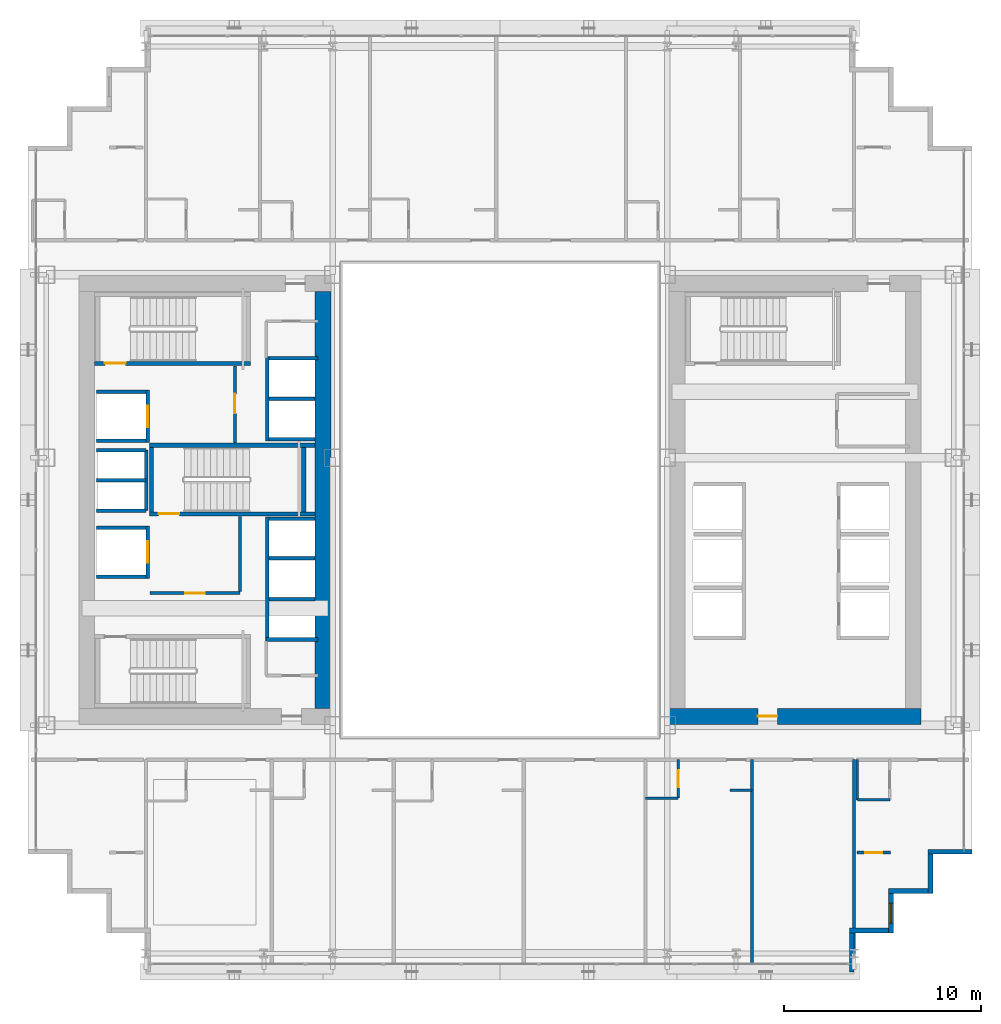
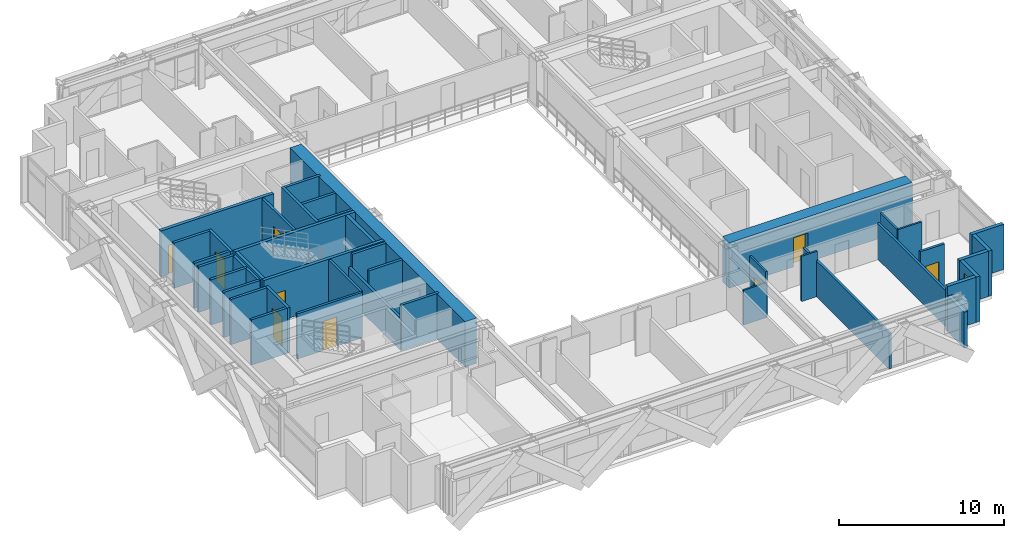
# One storey, part 28 of 35: 43 walls, 9 doors, 1 window, 10 openings.
"""IFC4 building model written with IfcOpenShell, lengths in metres."""

from ifc_helpers import new_model, si_unit, direction, frame, frame_2d, origin, place, context, subcontext, project, spatial, rectangle, extrude, source, transform, mapped, material, layer, layer_set, type_object, element, fill, save


model = new_model("IFC4")

# Units and contexts
model_context = context("Model", 3, precision=1e-05, world=origin(), true_north=direction((0.0, 1.0)))
body_context = subcontext(model_context, "Body", "Model", "MODEL_VIEW")
ifc_project = project(units=[si_unit("LENGTHUNIT", "METRE"), si_unit("AREAUNIT", "SQUARE_METRE"), si_unit("VOLUMEUNIT", "CUBIC_METRE"), si_unit("PLANEANGLEUNIT", "RADIAN"), si_unit("MASSUNIT", "GRAM", prefix="KILO")], contexts=[model_context])

# Site, building, storey
site_placement = place(None, origin())
site = spatial("IfcSite", under=ifc_project, at=site_placement, CompositionType="ELEMENT")
building_placement = place(site_placement, origin())
building = spatial("IfcBuilding", under=site, at=building_placement, Name="Ocotamira Hotel", CompositionType="ELEMENT")
storey_placement = place(building_placement, frame((0.0, 0.0, 49.199951171875)))
storey = spatial("IfcBuildingStorey", under=building, at=storey_placement, Name="L11", CompositionType="ELEMENT", Elevation=49.199951171875)

# Wall
ifc_material_1 = material(Name="Concrete C60/75", Category="concrete")
ifc_layer_1 = layer(ifc_material_1, 0.800048828125)
ifc_layer_set_1 = layer_set([ifc_layer_1], Name="Concrete C60/75")
wall_type_1 = type_object("IfcWallType", Name="WL-CORE-800", PredefinedType="SHEAR", material=ifc_layer_set_1)
wall_1_placement = place(storey_placement, frame((23.0, 15.39990234375, 0.0), z_axis=(0.0, 0.0, 1.0), x_axis=(0.0, 1.0, 0.0)))
element("IfcWall", 1, at=wall_1_placement, inside=storey, type_object=wall_type_1, Name="L11 Shear Core Wall WCORE-E", PredefinedType="SHEAR", context=body_context, shape_type="SweptSolid", body=[
    extrude(rectangle(XDim=21.2001953125, YDim=0.800048828125, at=frame_2d((10.60009765625, 0.0))), origin(), (0.0, 0.0, 1.0), 3.35009765625),
])

# Wall, opening, door
wall_2_placement = place(storey_placement, frame((40.60009765625, 15.0, 0.0), z_axis=(0.0, 0.0, 1.0), x_axis=(1.0, 0.0, 0.0)))
wall_2 = element("IfcWall", 2, at=wall_2_placement, inside=storey, type_object=wall_type_1, Name="L11 Shear Core Wall ECORE-S", PredefinedType="SHEAR", context=body_context, shape_type="SweptSolid", body=[
    extrude(rectangle(XDim=12.7998046875, YDim=0.800048828125, at=frame_2d((6.39990234375, 0.0))), origin(), (0.0, 0.0, 1.0), 3.35009765625),
])
opening_1_placement = place(wall_2_placement, frame((4.5, 0.0, 0.0)))
opening_1 = element("IfcOpeningElement", 3, at=opening_1_placement, cuts=wall_2, Name="Opening D-FR2", PredefinedType="OPENING", context=body_context, shape_type="SweptSolid", body=[
    extrude(rectangle(XDim=1.0, YDim=2.14990234375, at=frame_2d((0.5, 1.074951171875))), frame((0.0, 0.41015625, 0.0), z_axis=(0.0, -1.0, 0.0), x_axis=(1.0, 0.0, 0.0)), (0.0, 0.0, 1.0), 0.820068359375),
])
ifc_material_2 = material(Name="Fire-rated acoustic timber-veneer door", Category="wood")
door_type_1 = type_object("IfcDoorType", Name="DR-FIRE-1000", OperationType="NOTDEFINED", PredefinedType="DOOR", material=ifc_material_2)
shared_shape_1 = source(origin(), body_context, "Body", "SweptSolid", [
    extrude(rectangle(XDim=1.0, YDim=2.14990234375, at=frame_2d((0.5, 1.074951171875))), frame((0.0, 0.02490234375, 0.0), z_axis=(0.0, -1.0, 0.0), x_axis=(1.0, 0.0, 0.0)), (0.0, 0.0, 1.0), 0.050048828125),
])
door_1_placement = place(opening_1_placement, origin())
door_1 = element("IfcDoor", 4, at=door_1_placement, inside=storey, type_object=door_type_1, Name="L11 Door ID-L11-ELOB-S-D [ID-L11-ELOB-S-D]", OperationType="SINGLE_SWING_RIGHT", OverallHeight=2.14990234375, OverallWidth=1.0, PredefinedType="DOOR", context=body_context, shape_type="MappedRepresentation", body=[
    mapped(shared_shape_1, transform((0.0, 0.0, 0.0), scale=1.0)),
])
fill(opening_1, door_1)

# Walls
ifc_material_3 = material(Name="Precast concrete C45/55", Category="concrete")
ifc_layer_2 = layer(ifc_material_3, 0.25)
ifc_layer_set_2 = layer_set([ifc_layer_2], Name="Precast concrete C45/55")
wall_type_2 = type_object("IfcWallType", Name="WL-EXT-SER-250", PredefinedType="SOLIDWALL", material=ifc_layer_set_2)
wall_3_placement = place(storey_placement, frame((49.875, 2.0, 0.0), z_axis=(0.0, 0.0, 1.0), x_axis=(0.0, 1.0, 0.0)))
element("IfcWall", 5, at=wall_3_placement, inside=storey, type_object=wall_type_2, Name="L11 Serrated Corner Wall 01", PredefinedType="SOLIDWALL", context=body_context, shape_type="SweptSolid", body=[
    extrude(rectangle(XDim=2.0, YDim=0.25, at=frame_2d((1.0, 0.0))), origin(), (0.0, 0.0, 1.0), 2.656982421875),
])
wall_4_placement = place(storey_placement, frame((49.75, 4.125, 0.0), z_axis=(0.0, 0.0, 1.0), x_axis=(1.0, 0.0, 0.0)))
element("IfcWall", 6, at=wall_4_placement, inside=storey, type_object=wall_type_2, Name="L11 Serrated Corner Wall 02", PredefinedType="SOLIDWALL", context=body_context, shape_type="SweptSolid", body=[
    extrude(rectangle(XDim=2.0, YDim=0.25, at=frame_2d((1.0, 0.0))), origin(), (0.0, 0.0, 1.0), 3.35009765625),
])

# Wall, opening, window
wall_5_placement = place(storey_placement, frame((51.875, 4.0, 0.0), z_axis=(0.0, 0.0, 1.0), x_axis=(0.0, 1.0, 0.0)))
wall_5 = element("IfcWall", 7, at=wall_5_placement, inside=storey, type_object=wall_type_2, Name="L11 Serrated Corner Wall 03", PredefinedType="SOLIDWALL", context=body_context, shape_type="SweptSolid", body=[
    extrude(rectangle(XDim=2.0, YDim=0.25, at=frame_2d((1.0, 0.0))), origin(), (0.0, 0.0, 1.0), 3.35009765625),
])
opening_2_placement = place(wall_5_placement, frame((0.5, 0.0, 0.85009765625)))
opening_2 = element("IfcOpeningElement", 8, at=opening_2_placement, cuts=wall_5, Name="Opening WN-2", PredefinedType="OPENING", context=body_context, shape_type="SweptSolid", body=[
    extrude(rectangle(XDim=1.0, YDim=1.89990234375, at=frame_2d((0.5, 0.949951171875))), frame((0.0, 0.135009765625, 0.0), z_axis=(0.0, -1.0, 0.0), x_axis=(1.0, 0.0, 0.0)), (0.0, 0.0, 1.0), 0.27001953125),
])
ifc_material_4 = material(Name="Double-silver low-E solar glass", Category="glass")
window_type = type_object("IfcWindowType", Name="WIN-SER-1100", PartitioningType="SINGLE_PANEL", PredefinedType="WINDOW", material=ifc_material_4)
shared_shape_2 = source(origin(), body_context, "Body", "SweptSolid", [
    extrude(rectangle(XDim=1.0, YDim=1.89990234375, at=frame_2d((0.5, 0.949951171875))), frame((0.0, 0.030029296875, 0.0), z_axis=(0.0, -1.0, 0.0), x_axis=(1.0, 0.0, 0.0)), (0.0, 0.0, 1.0), 0.06005859375),
])
window_placement = place(opening_2_placement, origin())
window = element("IfcWindow", 9, at=window_placement, inside=storey, type_object=window_type, Name="L11 Serrated Corner Window 03", OverallHeight=1.89990234375, OverallWidth=1.0, PartitioningType="SINGLE_PANEL", PredefinedType="WINDOW", context=body_context, shape_type="MappedRepresentation", body=[
    mapped(shared_shape_2, transform((0.0, 0.0, 0.0), scale=1.0)),
])
fill(opening_2, window)

# Walls
for number, where, z_axis, x_axis, name in (
    (10, (51.75, 6.125, 0.0), (0.0, 0.0, 1.0), (1.0, 0.0, 0.0), "L11 Serrated Corner Wall 04"),
    (11, (53.875, 6.0, 0.0), (0.0, 0.0, 1.0), (0.0, 1.0, 0.0), "L11 Serrated Corner Wall 05"),
):
    element("IfcWall", number, at=place(storey_placement, frame(where, z_axis=z_axis, x_axis=x_axis)), inside=storey, type_object=wall_type_2, Name=name, PredefinedType="SOLIDWALL", context=body_context, shape_type="SweptSolid", body=[
        extrude(rectangle(XDim=2.0, YDim=0.25, at=frame_2d((1.0, 0.0))), origin(), (0.0, 0.0, 1.0), 3.35009765625),
    ])
wall_6_placement = place(storey_placement, frame((53.75, 8.125, 0.0), z_axis=(0.0, 0.0, 1.0), x_axis=(1.0, 0.0, 0.0)))
element("IfcWall", 12, at=wall_6_placement, inside=storey, type_object=wall_type_2, Name="L11 Serrated Corner Wall 06", PredefinedType="SOLIDWALL", context=body_context, shape_type="SweptSolid", body=[
    extrude(rectangle(XDim=2.25, YDim=0.25, at=frame_2d((1.125, 0.0))), origin(), (0.0, 0.0, 1.0), 3.35009765625),
])

# Wall, opening, door
ifc_material_5 = material(Name="Acoustic double-layer fire gypsum board partition", Category="gypsum")
ifc_layer_3 = layer(ifc_material_5, 0.159912109375)
ifc_layer_set_3 = layer_set([ifc_layer_3], Name="Acoustic double-layer fire gypsum board partition")
wall_type_3 = type_object("IfcWallType", Name="WL-FIRE-160", PredefinedType="PARTITIONING", material=ifc_layer_set_3)
wall_7_placement = place(storey_placement, frame((14.199951171875, 21.27001953125, 0.0), z_axis=(0.0, 0.0, 1.0), x_axis=(1.0, 0.0, 0.0)))
wall_7 = element("IfcWall", 13, at=wall_7_placement, inside=storey, type_object=wall_type_3, Name="L11 Interior Wall PW-L11-FSAE1-S", PredefinedType="PARTITIONING", context=body_context, shape_type="SweptSolid", body=[
    extrude(rectangle(XDim=4.580078125, YDim=0.159912109375, at=frame_2d((2.2900390625, 0.0))), origin(), (0.0, 0.0, 1.0), 3.35009765625),
])
opening_3_placement = place(wall_7_placement, frame((1.800048828125, 0.0, 0.0)))
opening_3 = element("IfcOpeningElement", 14, at=opening_3_placement, cuts=wall_7, Name="Opening D-FR2", PredefinedType="OPENING", context=body_context, shape_type="SweptSolid", body=[
    extrude(rectangle(XDim=1.0, YDim=2.14990234375, at=frame_2d((0.5, 1.074951171875))), frame((0.0, 0.08984375, 0.0), z_axis=(0.0, -1.0, 0.0), x_axis=(1.0, 0.0, 0.0)), (0.0, 0.0, 1.0), 0.179931640625),
])
door_2_placement = place(opening_3_placement, origin())
door_2 = element("IfcDoor", 15, at=door_2_placement, inside=storey, type_object=door_type_1, Name="L11 Door ID-L11-FSAE1-D [ID-L11-FSAE1-D]", OperationType="SINGLE_SWING_LEFT", OverallHeight=2.14990234375, OverallWidth=1.0, PredefinedType="DOOR", context=body_context, shape_type="MappedRepresentation", body=[
    mapped(shared_shape_1, transform((0.0, 0.0, 0.0), scale=1.0)),
])
fill(opening_3, door_2)

# Wall
wall_8_placement = place(storey_placement, frame((18.780029296875, 21.35009765625, 0.0), z_axis=(0.0, 0.0, 1.0), x_axis=(0.0, 1.0, 0.0)))
element("IfcWall", 16, at=wall_8_placement, inside=storey, type_object=wall_type_3, Name="L11 Interior Wall PW-L11-FSAE1-E", PredefinedType="PARTITIONING", context=body_context, shape_type="SweptSolid", body=[
    extrude(rectangle(XDim=3.809814453125, YDim=0.159912109375, at=frame_2d((1.90478515625, 0.0))), origin(), (0.0, 0.0, 1.0), 3.35009765625),
])

# Wall, opening, door
wall_9_placement = place(storey_placement, frame((18.530029296875, 28.89990234375, 0.0), z_axis=(0.0, 0.0, 1.0), x_axis=(0.0, 1.0, 0.0)))
wall_9 = element("IfcWall", 17, at=wall_9_placement, inside=storey, type_object=wall_type_3, Name="L11 Interior Wall PW-L11-FSAE2-E", PredefinedType="PARTITIONING", context=body_context, shape_type="SweptSolid", body=[
    extrude(rectangle(XDim=3.900146484375, YDim=0.159912109375, at=frame_2d((1.9501953125, 0.0))), origin(), (0.0, 0.0, 1.0), 3.35009765625),
])
opening_4_placement = place(wall_9_placement, frame((1.5, 0.0, 0.0)))
opening_4 = element("IfcOpeningElement", 18, at=opening_4_placement, cuts=wall_9, Name="Opening D-FR2", PredefinedType="OPENING", context=body_context, shape_type="SweptSolid", body=[
    extrude(rectangle(XDim=1.0, YDim=2.14990234375, at=frame_2d((0.5, 1.074951171875))), frame((0.0, 0.08984375, 0.0), z_axis=(0.0, -1.0, 0.0), x_axis=(1.0, 0.0, 0.0)), (0.0, 0.0, 1.0), 0.179931640625),
])
door_3_placement = place(opening_4_placement, origin())
door_3 = element("IfcDoor", 19, at=door_3_placement, inside=storey, type_object=door_type_1, Name="L11 Door ID-L11-FSAE2-D [ID-L11-FSAE2-D]", OperationType="SINGLE_SWING_RIGHT", OverallHeight=2.14990234375, OverallWidth=1.0, PredefinedType="DOOR", context=body_context, shape_type="MappedRepresentation", body=[
    mapped(shared_shape_1, transform((0.0, 0.0, 0.0), scale=1.0)),
])
fill(opening_4, door_3)

wall_10_placement = place(storey_placement, frame((50.14990234375, 8.080078125, 0.0), z_axis=(0.0, 0.0, 1.0), x_axis=(1.0, 0.0, 0.0)))
wall_10 = element("IfcWall", 20, at=wall_10_placement, inside=storey, type_object=wall_type_3, Name="L11 Interior Wall PW-L11-Z1B-CSE2-CW", PredefinedType="PARTITIONING", context=body_context, shape_type="SweptSolid", body=[
    extrude(rectangle(XDim=1.7001953125, YDim=0.159912109375, at=frame_2d((0.85009765625, 0.0))), origin(), (0.0, 0.0, 1.0), 3.35009765625),
])
opening_5_placement = place(wall_10_placement, frame((0.409912109375, 0.0, 0.0)))
opening_5 = element("IfcOpeningElement", 21, at=opening_5_placement, cuts=wall_10, Name="Opening D-SV2", PredefinedType="OPENING", context=body_context, shape_type="SweptSolid", body=[
    extrude(rectangle(XDim=0.8798828125, YDim=2.14990234375, at=frame_2d((0.43994140625, 1.074951171875))), frame((0.0, 0.08984375, 0.0), z_axis=(0.0, -1.0, 0.0), x_axis=(1.0, 0.0, 0.0)), (0.0, 0.0, 1.0), 0.179931640625),
])
ifc_material_6 = material(Name="Fire-rated painted steel service door", Category="steel")
door_type_2 = type_object("IfcDoorType", Name="DR-SERV-880", OperationType="NOTDEFINED", PredefinedType="DOOR", material=ifc_material_6)
shared_shape_3 = source(origin(), body_context, "Body", "SweptSolid", [
    extrude(rectangle(XDim=0.8798828125, YDim=2.14990234375, at=frame_2d((0.43994140625, 1.074951171875))), frame((0.0, 0.02490234375, 0.0), z_axis=(0.0, -1.0, 0.0), x_axis=(1.0, 0.0, 0.0)), (0.0, 0.0, 1.0), 0.050048828125),
])
door_4_placement = place(opening_5_placement, origin())
door_4 = element("IfcDoor", 22, at=door_4_placement, inside=storey, type_object=door_type_2, Name="L11 Door ID-L11-Z1B-CSE2-CD [ID-L11-Z1B-CSE2-CD]", OperationType="SINGLE_SWING_LEFT", OverallHeight=2.14990234375, OverallWidth=0.8798828125, PredefinedType="DOOR", context=body_context, shape_type="MappedRepresentation", body=[
    mapped(shared_shape_3, transform((0.0, 0.0, 0.0), scale=1.0)),
])
fill(opening_5, door_4)

# Walls
ifc_material_7 = material(Name="Moisture-resistant en-suite tile and gypsum partition", Category="gypsum")
ifc_layer_4 = layer(ifc_material_7, 0.1201171875)
ifc_layer_set_4 = layer_set([ifc_layer_4], Name="Moisture-resistant en-suite tile and gypsum partition")
wall_type_4 = type_object("IfcWallType", Name="WL-PART-120", PredefinedType="PARTITIONING", material=ifc_layer_set_4)
wall_11_placement = place(storey_placement, frame((50.159912109375, 10.760009765625, 0.0), z_axis=(0.0, 0.0, 1.0), x_axis=(0.0, 1.0, 0.0)))
element("IfcWall", 23, at=wall_11_placement, inside=storey, type_object=wall_type_4, Name="L11 Interior Wall PW-L11-Z1B-CSE-BW", PredefinedType="PARTITIONING", context=body_context, shape_type="SweptSolid", body=[
    extrude(rectangle(XDim=2.0400390625, YDim=0.1201171875, at=frame_2d((1.02001953125, 0.0))), origin(), (0.0, 0.0, 1.0), 3.35009765625),
])
wall_12_placement = place(storey_placement, frame((50.159912109375, 10.760009765625, 0.0), z_axis=(0.0, 0.0, 1.0), x_axis=(1.0, 0.0, 0.0)))
element("IfcWall", 24, at=wall_12_placement, inside=storey, type_object=wall_type_4, Name="L11 Interior Wall PW-L11-Z1B-CSE-BH", PredefinedType="PARTITIONING", context=body_context, shape_type="SweptSolid", body=[
    extrude(rectangle(XDim=1.650146484375, YDim=0.1201171875, at=frame_2d((0.8251953125, 0.0))), origin(), (0.0, 0.0, 1.0), 3.35009765625),
])

# Wall, opening, door
wall_13_placement = place(storey_placement, frame((41.050048828125, 10.85009765625, 0.0), z_axis=(0.0, 0.0, 1.0), x_axis=(0.0, 1.0, 0.0)))
wall_13 = element("IfcWall", 25, at=wall_13_placement, inside=storey, type_object=wall_type_4, Name="L11 Interior Wall PW-L11-Z1BS-BAE5", PredefinedType="PARTITIONING", context=body_context, shape_type="SweptSolid", body=[
    extrude(rectangle(XDim=1.949951171875, YDim=0.1201171875, at=frame_2d((0.97509765625, 0.0))), origin(), (0.0, 0.0, 1.0), 3.35009765625),
])
opening_6_placement = place(wall_13_placement, frame((0.544921875, 0.0, 0.0)))
opening_6 = element("IfcOpeningElement", 26, at=opening_6_placement, cuts=wall_13, Name="Opening D-BA1", PredefinedType="OPENING", context=body_context, shape_type="SweptSolid", body=[
    extrude(rectangle(XDim=0.860107421875, YDim=2.10009765625, at=frame_2d((0.43017578125, 1.050048828125))), frame((0.0, 0.070068359375, 0.0), z_axis=(0.0, -1.0, 0.0), x_axis=(1.0, 0.0, 0.0)), (0.0, 0.0, 1.0), 0.14013671875),
])
ifc_material_8 = material(Name="Moisture-sealed en-suite timber door", Category="wood")
door_type_3 = type_object("IfcDoorType", Name="DR-BATH-860", OperationType="NOTDEFINED", PredefinedType="DOOR", material=ifc_material_8)
shared_shape_4 = source(origin(), body_context, "Body", "SweptSolid", [
    extrude(rectangle(XDim=0.860107421875, YDim=2.10009765625, at=frame_2d((0.43017578125, 1.050048828125))), frame((0.0, 0.02490234375, 0.0), z_axis=(0.0, -1.0, 0.0), x_axis=(1.0, 0.0, 0.0)), (0.0, 0.0, 1.0), 0.050048828125),
])
door_5_placement = place(opening_6_placement, origin())
door_5 = element("IfcDoor", 27, at=door_5_placement, inside=storey, type_object=door_type_3, Name="L11 Door ID-L11-Z1BS-BAD5 [ID-L11-Z1BS-BAD5]", OperationType="SINGLE_SWING_RIGHT", OverallHeight=2.10009765625, OverallWidth=0.860107421875, PredefinedType="DOOR", context=body_context, shape_type="MappedRepresentation", body=[
    mapped(shared_shape_4, transform((0.0, 0.0, 0.0), scale=1.0)),
])
fill(opening_6, door_5)

# Walls
wall_14_placement = place(storey_placement, frame((39.39990234375, 10.85009765625, 0.0), z_axis=(0.0, 0.0, 1.0), x_axis=(1.0, 0.0, 0.0)))
element("IfcWall", 28, at=wall_14_placement, inside=storey, type_object=wall_type_4, Name="L11 Interior Wall PW-L11-Z1BS-BAS5", PredefinedType="PARTITIONING", context=body_context, shape_type="SweptSolid", body=[
    extrude(rectangle(XDim=1.650146484375, YDim=0.1201171875, at=frame_2d((0.8251953125, 0.0))), origin(), (0.0, 0.0, 1.0), 2.571044921875),
])
wall_15_placement = place(storey_placement, frame((43.699951171875, 11.25, 0.0), z_axis=(0.0, 0.0, 1.0), x_axis=(1.0, 0.0, 0.0)))
element("IfcWall", 29, at=wall_15_placement, inside=storey, type_object=wall_type_4, Name="L11 Interior Wall PW-L11-Z1BS-DRN5", PredefinedType="PARTITIONING", context=body_context, shape_type="SweptSolid", body=[
    extrude(rectangle(XDim=1.10009765625, YDim=0.1201171875, at=frame_2d((0.550048828125, 0.0))), origin(), (0.0, 0.0, 1.0), 3.35009765625),
])
ifc_material_9 = material(Name="Acoustic double-stud hospitality gypsum partition", Category="gypsum")
ifc_layer_5 = layer(ifc_material_9, 0.159912109375)
ifc_layer_set_5 = layer_set([ifc_layer_5], Name="Acoustic double-stud hospitality gypsum partition")
wall_type_5 = type_object("IfcWallType", Name="WL-PART-160", PredefinedType="PARTITIONING", material=ifc_layer_set_5)
for number, where, z_axis, x_axis, name in (
    (30, (50.0, 2.360107421875, 0.0), (0.0, 0.0, 1.0), (0.0, 1.0, 0.0), "L11 Interior Wall PW-L11-Z1BS-PWEND"),
    (31, (44.800048828125, 2.360107421875, 0.0), (0.0, 0.0, 1.0), (0.0, 1.0, 0.0), "L11 Interior Wall PW-L11-Z1BS-PW5"),
):
    element("IfcWall", number, at=place(storey_placement, frame(where, z_axis=z_axis, x_axis=x_axis)), inside=storey, type_object=wall_type_5, Name=name, PredefinedType="PARTITIONING", context=body_context, shape_type="SweptSolid", body=[
        extrude(rectangle(XDim=10.43994140625, YDim=0.159912109375, at=frame_2d((5.219970703125, 0.0))), origin(), (0.0, 0.0, 1.0), 2.656982421875),
    ])
ifc_material_10 = material(Name="Fire-rated gypsum shaftliner board assembly", Category="gypsum")
ifc_layer_6 = layer(ifc_material_10, 0.179931640625)
ifc_layer_set_6 = layer_set([ifc_layer_6], Name="Fire-rated gypsum shaftliner board assembly")
wall_type_6 = type_object("IfcWallType", Name="WL-SHAFT-180", PredefinedType="SOLIDWALL", material=ifc_layer_set_6)
wall_16_placement = place(storey_placement, frame((20.159912109375, 18.820068359375, 0.0), z_axis=(0.0, 0.0, 1.0), x_axis=(0.0, 1.0, 0.0)))
element("IfcWall", 32, at=wall_16_placement, inside=storey, type_object=wall_type_6, Name="L11 Interior Wall PW-L11-LFW-BANK-high-F", PredefinedType="SOLIDWALL", context=body_context, shape_type="SweptSolid", body=[
    extrude(rectangle(XDim=6.31982421875, YDim=0.179931640625, at=frame_2d((3.159912109375, 0.0))), origin(), (0.0, 0.0, 1.0), 2.360107421875),
])
wall_17_placement = place(storey_placement, frame((20.1201171875, 18.909912109375, 0.0), z_axis=(0.0, 0.0, 1.0), x_axis=(1.0, 0.0, 0.0)))
element("IfcWall", 33, at=wall_17_placement, inside=storey, type_object=wall_type_6, Name="L11 Interior Wall PW-L11-LFW-BANK-high-S", PredefinedType="SOLIDWALL", context=body_context, shape_type="SweptSolid", body=[
    extrude(rectangle(XDim=2.6298828125, YDim=0.179931640625, at=frame_2d((1.31494140625, 0.0))), origin(), (0.0, 0.0, 1.0), 3.35009765625),
])
wall_18_placement = place(storey_placement, frame((20.25, 25.050048828125, 0.0), z_axis=(0.0, 0.0, 1.0), x_axis=(1.0, 0.0, 0.0)))
element("IfcWall", 34, at=wall_18_placement, inside=storey, type_object=wall_type_6, Name="L11 Interior Wall PW-L11-LFW-BANK-high-N", PredefinedType="SOLIDWALL", context=body_context, shape_type="SweptSolid", body=[
    extrude(rectangle(XDim=2.360107421875, YDim=0.179931640625, at=frame_2d((1.18017578125, 0.0))), origin(), (0.0, 0.0, 1.0), 3.35009765625),
])
wall_19_placement = place(storey_placement, frame((20.25, 20.965087890625, 0.0), z_axis=(0.0, 0.0, 1.0), x_axis=(1.0, 0.0, 0.0)))
element("IfcWall", 35, at=wall_19_placement, inside=storey, type_object=wall_type_6, Name="L11 Interior Wall PW-L11-LFW-DIV-LF-P7", PredefinedType="SOLIDWALL", context=body_context, shape_type="SweptSolid", body=[
    extrude(rectangle(XDim=2.360107421875, YDim=0.179931640625, at=frame_2d((1.18017578125, 0.0))), origin(), (0.0, 0.0, 1.0), 2.360107421875),
])
wall_20_placement = place(storey_placement, frame((20.25, 23.044921875, 0.0), z_axis=(0.0, 0.0, 1.0), x_axis=(1.0, 0.0, 0.0)))
element("IfcWall", 36, at=wall_20_placement, inside=storey, type_object=wall_type_6, Name="L11 Interior Wall PW-L11-LFW-DIV-LF-P8", PredefinedType="SOLIDWALL", context=body_context, shape_type="SweptSolid", body=[
    extrude(rectangle(XDim=2.360107421875, YDim=0.179931640625, at=frame_2d((1.18017578125, 0.0))), origin(), (0.0, 0.0, 1.0), 3.35009765625),
])
wall_21_placement = place(storey_placement, frame((20.159912109375, 29.0, 0.0), z_axis=(0.0, 0.0, 1.0), x_axis=(0.0, 1.0, 0.0)))
element("IfcWall", 37, at=wall_21_placement, inside=storey, type_object=wall_type_6, Name="L11 Interior Wall PW-L11-LFW-BANK-obs-F", PredefinedType="SOLIDWALL", context=body_context, shape_type="SweptSolid", body=[
    extrude(rectangle(XDim=4.2900390625, YDim=0.179931640625, at=frame_2d((2.14501953125, 0.0))), origin(), (0.0, 0.0, 1.0), 3.35009765625),
])
wall_22_placement = place(storey_placement, frame((20.25, 29.090087890625, 0.0), z_axis=(0.0, 0.0, 1.0), x_axis=(1.0, 0.0, 0.0)))
element("IfcWall", 38, at=wall_22_placement, inside=storey, type_object=wall_type_6, Name="L11 Interior Wall PW-L11-LFW-BANK-obs-S", PredefinedType="SOLIDWALL", context=body_context, shape_type="SweptSolid", body=[
    extrude(rectangle(XDim=2.360107421875, YDim=0.179931640625, at=frame_2d((1.18017578125, 0.0))), origin(), (0.0, 0.0, 1.0), 3.35009765625),
])
wall_23_placement = place(storey_placement, frame((20.25, 33.199951171875, 0.0), z_axis=(0.0, 0.0, 1.0), x_axis=(1.0, 0.0, 0.0)))
element("IfcWall", 39, at=wall_23_placement, inside=storey, type_object=wall_type_6, Name="L11 Interior Wall PW-L11-LFW-BANK-obs-N", PredefinedType="SOLIDWALL", context=body_context, shape_type="SweptSolid", body=[
    extrude(rectangle(XDim=2.5, YDim=0.179931640625, at=frame_2d((1.25, 0.0))), origin(), (0.0, 0.0, 1.0), 3.35009765625),
])
wall_24_placement = place(storey_placement, frame((20.25, 31.14501953125, 0.0), z_axis=(0.0, 0.0, 1.0), x_axis=(1.0, 0.0, 0.0)))
element("IfcWall", 40, at=wall_24_placement, inside=storey, type_object=wall_type_6, Name="L11 Interior Wall PW-L11-LFW-DIV-LF-OBS1", PredefinedType="SOLIDWALL", context=body_context, shape_type="SweptSolid", body=[
    extrude(rectangle(XDim=2.360107421875, YDim=0.179931640625, at=frame_2d((1.18017578125, 0.0))), origin(), (0.0, 0.0, 1.0), 3.35009765625),
])
for number, where, z_axis, x_axis, name in (
    (41, (11.5, 22.110107421875, 0.0), (0.0, 0.0, 1.0), (1.0, 0.0, 0.0), "L11 Interior Wall PW-L11-LFW-LF-FSAE1-S"),
    (42, (11.5, 24.590087890625, 0.0), (0.0, 0.0, 1.0), (1.0, 0.0, 0.0), "L11 Interior Wall PW-L11-LFW-LF-FSAE1-N"),
):
    element("IfcWall", number, at=place(storey_placement, frame(where, z_axis=z_axis, x_axis=x_axis)), inside=storey, type_object=wall_type_6, Name=name, PredefinedType="SOLIDWALL", context=body_context, shape_type="SweptSolid", body=[
        extrude(rectangle(XDim=2.5, YDim=0.179931640625, at=frame_2d((1.25, 0.0))), origin(), (0.0, 0.0, 1.0), 3.35009765625),
    ])

# Wall, opening, door
wall_25_placement = place(storey_placement, frame((14.090087890625, 22.02001953125, 0.0), z_axis=(0.0, 0.0, 1.0), x_axis=(0.0, 1.0, 0.0)))
wall_25 = element("IfcWall", 43, at=wall_25_placement, inside=storey, type_object=wall_type_6, Name="L11 Interior Wall PW-L11-LFW-LF-FSAE1-E", PredefinedType="SOLIDWALL", context=body_context, shape_type="SweptSolid", body=[
    extrude(rectangle(XDim=2.659912109375, YDim=0.179931640625, at=frame_2d((1.330078125, 0.0))), origin(), (0.0, 0.0, 1.0), 3.35009765625),
])
opening_7_placement = place(wall_25_placement, frame((0.780029296875, 0.0, 0.0)))
opening_7 = element("IfcOpeningElement", 44, at=opening_7_placement, cuts=wall_25, Name="Opening LD-LF-FSAE1", PredefinedType="OPENING", context=body_context, shape_type="SweptSolid", body=[
    extrude(rectangle(XDim=1.10009765625, YDim=2.199951171875, at=frame_2d((0.550048828125, 1.10009765625))), frame((0.0, 0.10009765625, 0.0), z_axis=(0.0, -1.0, 0.0), x_axis=(1.0, 0.0, 0.0)), (0.0, 0.0, 1.0), 0.199951171875),
])
ifc_material_11 = material(Name="Brushed pale-metal stainless elevator landing door", Category="steel")
door_type_4 = type_object("IfcDoorType", Name="DR-LIFT-1100", OperationType="NOTDEFINED", PredefinedType="DOOR", material=ifc_material_11)
shared_shape_5 = source(origin(), body_context, "Body", "SweptSolid", [
    extrude(rectangle(XDim=1.10009765625, YDim=2.199951171875, at=frame_2d((0.550048828125, 1.10009765625))), frame((0.0, 0.02490234375, 0.0), z_axis=(0.0, -1.0, 0.0), x_axis=(1.0, 0.0, 0.0)), (0.0, 0.0, 1.0), 0.050048828125),
])
door_6_placement = place(opening_7_placement, origin())
door_6 = element("IfcDoor", 45, at=door_6_placement, inside=storey, type_object=door_type_4, Name="L11 Landing Door LD-LF-FSAE1 [ID-L11-LD-LF-FSAE1]", OperationType="DOUBLE_DOOR_SLIDING", OverallHeight=2.199951171875, OverallWidth=1.10009765625, PredefinedType="DOOR", context=body_context, shape_type="MappedRepresentation", body=[
    mapped(shared_shape_5, transform((0.0, 0.0, 0.0), scale=1.0)),
])
fill(opening_7, door_6)

# Walls
for number, where, z_axis, x_axis, name in (
    (46, (11.5, 29.010009765625, 0.0), (0.0, 0.0, 1.0), (1.0, 0.0, 0.0), "L11 Interior Wall PW-L11-LFW-LF-FSAE2-S"),
    (47, (11.5, 31.489990234375, 0.0), (0.0, 0.0, 1.0), (1.0, 0.0, 0.0), "L11 Interior Wall PW-L11-LFW-LF-FSAE2-N"),
):
    element("IfcWall", number, at=place(storey_placement, frame(where, z_axis=z_axis, x_axis=x_axis)), inside=storey, type_object=wall_type_6, Name=name, PredefinedType="SOLIDWALL", context=body_context, shape_type="SweptSolid", body=[
        extrude(rectangle(XDim=2.5, YDim=0.179931640625, at=frame_2d((1.25, 0.0))), origin(), (0.0, 0.0, 1.0), 3.35009765625),
    ])

# Wall, opening, door
wall_26_placement = place(storey_placement, frame((14.090087890625, 28.919921875, 0.0), z_axis=(0.0, 0.0, 1.0), x_axis=(0.0, 1.0, 0.0)))
wall_26 = element("IfcWall", 48, at=wall_26_placement, inside=storey, type_object=wall_type_6, Name="L11 Interior Wall PW-L11-LFW-LF-FSAE2-E", PredefinedType="SOLIDWALL", context=body_context, shape_type="SweptSolid", body=[
    extrude(rectangle(XDim=2.66015625, YDim=0.179931640625, at=frame_2d((1.330078125, 0.0))), origin(), (0.0, 0.0, 1.0), 3.35009765625),
])
opening_8_placement = place(wall_26_placement, frame((0.780029296875, 0.0, 0.0)))
opening_8 = element("IfcOpeningElement", 49, at=opening_8_placement, cuts=wall_26, Name="Opening LD-LF-FSAE2", PredefinedType="OPENING", context=body_context, shape_type="SweptSolid", body=[
    extrude(rectangle(XDim=1.10009765625, YDim=2.199951171875, at=frame_2d((0.550048828125, 1.10009765625))), frame((0.0, 0.10009765625, 0.0), z_axis=(0.0, -1.0, 0.0), x_axis=(1.0, 0.0, 0.0)), (0.0, 0.0, 1.0), 0.199951171875),
])
door_7_placement = place(opening_8_placement, origin())
door_7 = element("IfcDoor", 50, at=door_7_placement, inside=storey, type_object=door_type_4, Name="L11 Landing Door LD-LF-FSAE2 [ID-L11-LD-LF-FSAE2]", OperationType="DOUBLE_DOOR_SLIDING", OverallHeight=2.199951171875, OverallWidth=1.10009765625, PredefinedType="DOOR", context=body_context, shape_type="MappedRepresentation", body=[
    mapped(shared_shape_5, transform((0.0, 0.0, 0.0), scale=1.0)),
])
fill(opening_8, door_7)

# Walls
for number, where, z_axis, x_axis, name in (
    (51, (11.5, 25.4599609375, 0.0), (0.0, 0.0, 1.0), (1.0, 0.0, 0.0), "L11 Interior Wall PW-L11-RSW-S"),
    (52, (11.5, 27.0, 0.0), (0.0, 0.0, 1.0), (1.0, 0.0, 0.0), "L11 Interior Wall PW-L11-RSW-MID"),
    (53, (11.5, 28.5400390625, 0.0), (0.0, 0.0, 1.0), (1.0, 0.0, 0.0), "L11 Interior Wall PW-L11-RSW-N"),
):
    element("IfcWall", number, at=place(storey_placement, frame(where, z_axis=z_axis, x_axis=x_axis)), inside=storey, type_object=wall_type_6, Name=name, PredefinedType="SOLIDWALL", context=body_context, shape_type="SweptSolid", body=[
        extrude(rectangle(XDim=2.510009765625, YDim=0.179931640625, at=frame_2d((1.2548828125, 0.0))), origin(), (0.0, 0.0, 1.0), 3.35009765625),
    ])
wall_27_placement = place(storey_placement, frame((14.010009765625, 25.4599609375, 0.0), z_axis=(0.0, 0.0, 1.0), x_axis=(0.0, 1.0, 0.0)))
element("IfcWall", 54, at=wall_27_placement, inside=storey, type_object=wall_type_6, Name="L11 Interior Wall PW-L11-RSW-E", PredefinedType="SOLIDWALL", context=body_context, shape_type="SweptSolid", body=[
    extrude(rectangle(XDim=3.080078125, YDim=0.179931640625, at=frame_2d((1.5400390625, 0.0))), origin(), (0.0, 0.0, 1.0), 3.35009765625),
])

# Wall, opening, door
ifc_material_12 = material(Name="Concrete C50/60", Category="concrete")
ifc_layer_7 = layer(ifc_material_12, 0.219970703125)
ifc_layer_set_7 = layer_set([ifc_layer_7], Name="Concrete C50/60")
wall_type_7 = type_object("IfcWallType", Name="WL-STAIR-220", PredefinedType="SHEAR", material=ifc_layer_set_7)
wall_28_placement = place(storey_placement, frame((11.39990234375, 32.93994140625, 0.0), z_axis=(0.0, 0.0, 1.0), x_axis=(1.0, 0.0, 0.0)))
wall_28 = element("IfcWall", 55, at=wall_28_placement, inside=storey, type_object=wall_type_7, Name="L11 Stair Shaft Structural Wall ST-2-S", PredefinedType="SHEAR", context=body_context, shape_type="SweptSolid", body=[
    extrude(rectangle(XDim=7.91015625, YDim=0.219970703125, at=frame_2d((3.955078125, 0.0))), origin(), (0.0, 0.0, 1.0), 3.400146484375),
])
opening_9_placement = place(wall_28_placement, frame((0.52001953125, 0.0, 0.0)))
opening_9 = element("IfcOpeningElement", 56, at=opening_9_placement, cuts=wall_28, Name="Opening D-ST2", PredefinedType="OPENING", context=body_context, shape_type="SweptSolid", body=[
    extrude(rectangle(XDim=1.050048828125, YDim=2.14990234375, at=frame_2d((0.52490234375, 1.074951171875))), frame((0.0, 0.1201171875, 0.0), z_axis=(0.0, -1.0, 0.0), x_axis=(1.0, 0.0, 0.0)), (0.0, 0.0, 1.0), 0.239990234375),
])
ifc_material_13 = material(Name="Insulated painted hollow-metal fire exit door", Category="steel")
door_type_5 = type_object("IfcDoorType", Name="DR-STAIR-1050", OperationType="NOTDEFINED", PredefinedType="DOOR", material=ifc_material_13)
shared_shape_6 = source(origin(), body_context, "Body", "SweptSolid", [
    extrude(rectangle(XDim=1.050048828125, YDim=2.14990234375, at=frame_2d((0.52490234375, 1.074951171875))), frame((0.0, 0.02490234375, 0.0), z_axis=(0.0, -1.0, 0.0), x_axis=(1.0, 0.0, 0.0)), (0.0, 0.0, 1.0), 0.050048828125),
])
door_8_placement = place(opening_9_placement, origin())
door_8 = element("IfcDoor", 57, at=door_8_placement, inside=storey, type_object=door_type_5, Name="L11 Door ID-L11-STD-ST-2 [ID-L11-STD-ST-2]", OperationType="SINGLE_SWING_LEFT", OverallHeight=2.14990234375, OverallWidth=1.050048828125, PredefinedType="DOOR", context=body_context, shape_type="MappedRepresentation", body=[
    mapped(shared_shape_6, transform((0.0, 0.0, 0.0), scale=1.0)),
])
fill(opening_9, door_8)

wall_29_placement = place(storey_placement, frame((14.179931640625, 25.2900390625, 0.0), z_axis=(0.0, 0.0, 1.0), x_axis=(1.0, 0.0, 0.0)))
wall_29 = element("IfcWall", 58, at=wall_29_placement, inside=storey, type_object=wall_type_7, Name="L11 Stair Shaft Structural Wall ST-3-S", PredefinedType="SHEAR", context=body_context, shape_type="SweptSolid", body=[
    extrude(rectangle(XDim=8.420166015625, YDim=0.219970703125, at=frame_2d((4.2099609375, 0.0))), origin(), (0.0, 0.0, 1.0), 3.400146484375),
])
opening_10_placement = place(wall_29_placement, frame((0.469970703125, 0.0, 0.0)))
opening_10 = element("IfcOpeningElement", 59, at=opening_10_placement, cuts=wall_29, Name="Opening D-ST2", PredefinedType="OPENING", context=body_context, shape_type="SweptSolid", body=[
    extrude(rectangle(XDim=1.050048828125, YDim=2.14990234375, at=frame_2d((0.52490234375, 1.074951171875))), frame((0.0, 0.1201171875, 0.0), z_axis=(0.0, -1.0, 0.0), x_axis=(1.0, 0.0, 0.0)), (0.0, 0.0, 1.0), 0.239990234375),
])
door_9_placement = place(opening_10_placement, origin())
door_9 = element("IfcDoor", 60, at=door_9_placement, inside=storey, type_object=door_type_5, Name="L11 Door ID-L11-STD-ST-3 [ID-L11-STD-ST-3]", OperationType="SINGLE_SWING_RIGHT", OverallHeight=2.14990234375, OverallWidth=1.050048828125, PredefinedType="DOOR", context=body_context, shape_type="MappedRepresentation", body=[
    mapped(shared_shape_6, transform((0.0, 0.0, 0.0), scale=1.0)),
])
fill(opening_10, door_9)

# Walls
wall_30_placement = place(storey_placement, frame((14.179931640625, 28.7900390625, 0.0), z_axis=(0.0, 0.0, 1.0), x_axis=(1.0, 0.0, 0.0)))
element("IfcWall", 61, at=wall_30_placement, inside=storey, type_object=wall_type_7, Name="L11 Stair Shaft Structural Wall ST-3-N", PredefinedType="SHEAR", context=body_context, shape_type="SweptSolid", body=[
    extrude(rectangle(XDim=8.420166015625, YDim=0.219970703125, at=frame_2d((4.2099609375, 0.0))), origin(), (0.0, 0.0, 1.0), 3.400146484375),
])
for number, where, z_axis, x_axis, name in (
    (62, (14.2900390625, 25.39990234375, 0.0), (0.0, 0.0, 1.0), (0.0, 1.0, 0.0), "L11 Stair Shaft Structural Wall ST-3-W"),
    (63, (22.030029296875, 25.39990234375, 0.0), (0.0, 0.0, 1.0), (0.0, 1.0, 0.0), "L11 Stair Shaft Structural Wall ST-3-E"),
):
    element("IfcWall", number, at=place(storey_placement, frame(where, z_axis=z_axis, x_axis=x_axis)), inside=storey, type_object=wall_type_7, Name=name, PredefinedType="SHEAR", context=body_context, shape_type="SweptSolid", body=[
        extrude(rectangle(XDim=3.280029296875, YDim=0.219970703125, at=frame_2d((1.64013671875, 0.0))), origin(), (0.0, 0.0, 1.0), 3.400146484375),
    ])

save(model, "model.ifc")
